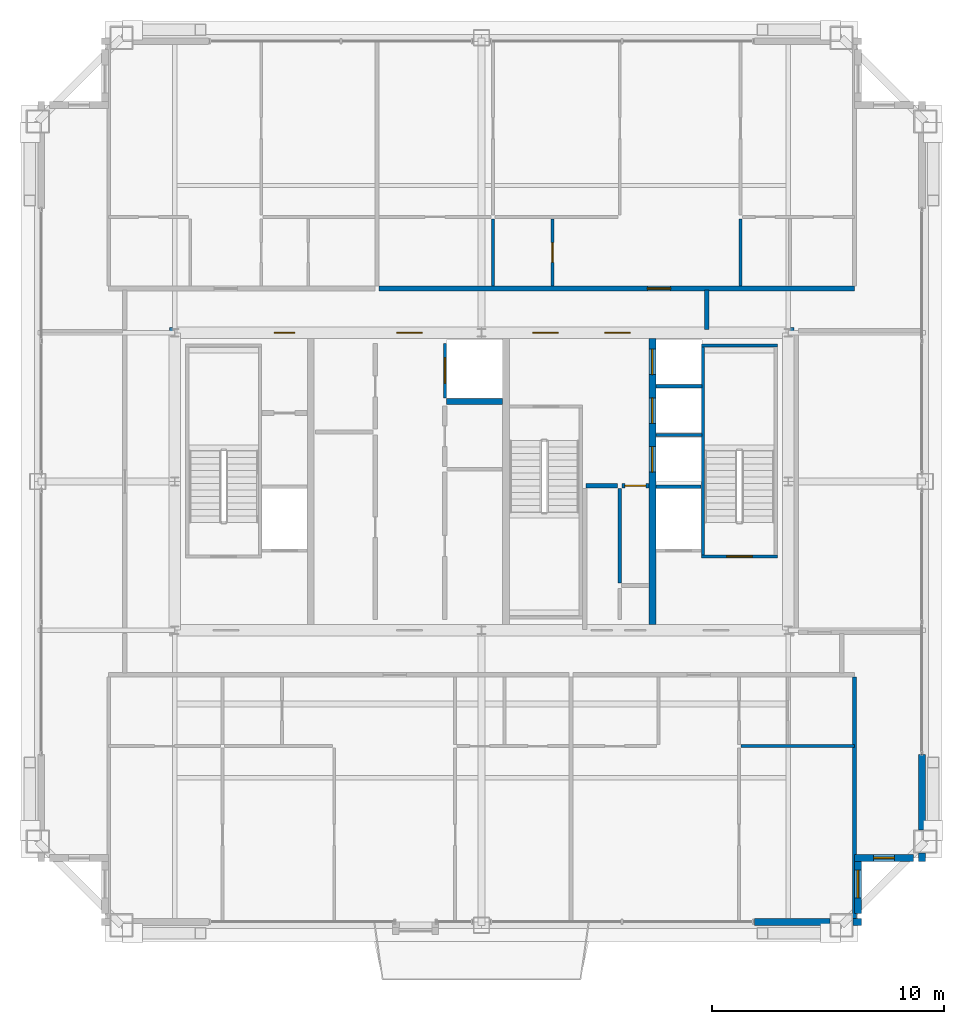
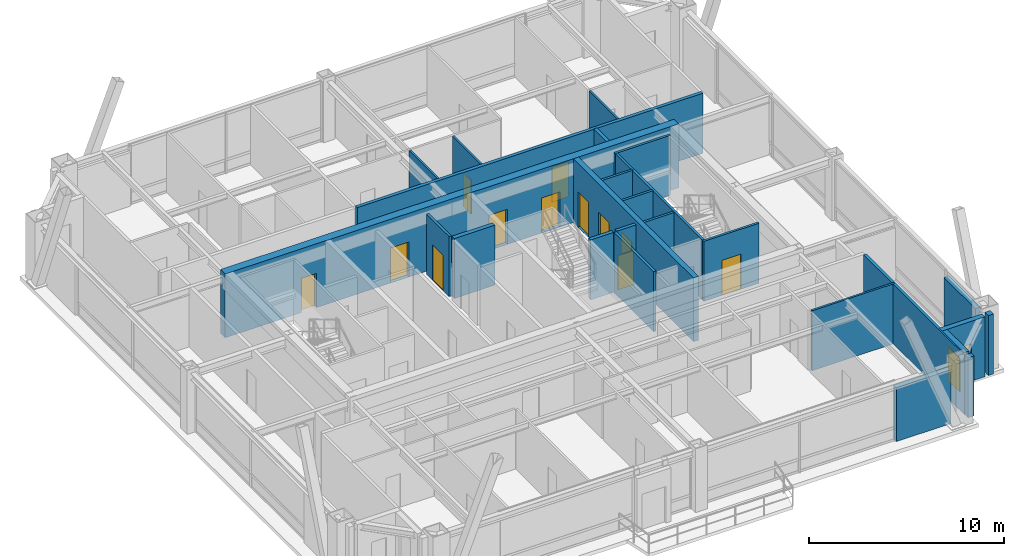
# One storey, part 32 of 35: 26 walls, 12 doors, 2 windows, 14 openings.
"""IFC4 building model written with IfcOpenShell, lengths in metres."""

from ifc_helpers import new_model, si_unit, direction, frame, frame_2d, origin, place, context, subcontext, project, spatial, rectangle, extrude, source, transform, mapped, material, layer, layer_set, type_object, element, fill, save


model = new_model("IFC4")

# Units and contexts
model_context = context("Model", 3, precision=1e-05, world=origin(), true_north=direction((0.0, 1.0)))
body_context = subcontext(model_context, "Body", "Model", "MODEL_VIEW")
ifc_project = project(units=[si_unit("LENGTHUNIT", "METRE"), si_unit("AREAUNIT", "SQUARE_METRE"), si_unit("VOLUMEUNIT", "CUBIC_METRE"), si_unit("PLANEANGLEUNIT", "RADIAN"), si_unit("MASSUNIT", "GRAM", prefix="KILO"), si_unit("THERMODYNAMICTEMPERATUREUNIT", "KELVIN"), si_unit("POWERUNIT", "WATT")], contexts=[model_context])

# Site, building, storey
site_placement = place(None, origin())
site = spatial("IfcSite", under=ifc_project, at=site_placement, CompositionType="ELEMENT")
building_placement = place(site_placement, origin())
building = spatial("IfcBuilding", under=site, at=building_placement, Name="Yuzanri Waterfront Tower", CompositionType="ELEMENT")
storey_placement = place(building_placement, frame((0.0, 0.0, 343.199951171875)))
storey = spatial("IfcBuildingStorey", under=building, at=storey_placement, Name="L92", CompositionType="ELEMENT", Elevation=343.199951171875)

# Wall, opening, door
ifc_material_1 = material(Name="Moisture-Resistant Gypsum Stud Wall", Category="gypsum")
ifc_layer_1 = layer(ifc_material_1, 0.1201171875)
ifc_layer_set_1 = layer_set([ifc_layer_1], Name="Moisture-Resistant Gypsum Stud Wall")
wall_type_1 = type_object("IfcWallType", Name="Bathroom and Kitchen Wet Partition 120", PredefinedType="PARTITIONING", material=ifc_layer_set_1)
wall_1_placement = place(storey_placement, frame((40.052978515625, 34.2099609375, 0.0), z_axis=(0.0, 0.0, 1.0), x_axis=(0.0, 1.0, 0.0)))
wall_1 = element("IfcWall", 1, at=wall_1_placement, inside=storey, type_object=wall_type_1, Name="L92 Partition UW-L92-HN2-SUB-2-E", PredefinedType="PARTITIONING", context=body_context, shape_type="SweptSolid", body=[
    extrude(rectangle(XDim=2.900146484375, YDim=0.1201171875, at=frame_2d((1.4501953125, 0.0))), origin(), (0.0, 0.0, 1.0), 3.760009765625),
])
opening_1_placement = place(wall_1_placement, frame((1.02490234375, 0.0, 0.0)))
opening_1 = element("IfcOpeningElement", 2, at=opening_1_placement, cuts=wall_1, Name="Opening ID-0850", PredefinedType="OPENING", context=body_context, shape_type="SweptSolid", body=[
    extrude(rectangle(XDim=0.85009765625, YDim=2.10009765625, at=frame_2d((0.425048828125, 1.050048828125))), frame((0.0, 0.074951171875, 0.0), z_axis=(0.0, -1.0, 0.0), x_axis=(1.0, 0.0, 0.0)), (0.0, 0.0, 1.0), 0.14990234375),
])
ifc_material_2 = material(Name="Moisture-Resistant Lacquered Timber", Category="wood")
door_type_1 = type_object("IfcDoorType", Name="En-Suite Bathroom and Kitchen Swing Door 850x2100", OperationType="NOTDEFINED", PredefinedType="DOOR", material=ifc_material_2)
shared_shape_1 = source(origin(), body_context, "Body", "SweptSolid", [
    extrude(rectangle(XDim=0.85009765625, YDim=2.10009765625, at=frame_2d((0.425048828125, 1.050048828125))), frame((0.0, 0.02490234375, 0.0), z_axis=(0.0, -1.0, 0.0), x_axis=(1.0, 0.0, 0.0)), (0.0, 0.0, 1.0), 0.050048828125),
])
door_1_placement = place(opening_1_placement, origin())
door_1 = element("IfcDoor", 3, at=door_1_placement, inside=storey, type_object=door_type_1, Name="L92 Suite Interior Room Door", OperationType="SINGLE_SWING_RIGHT", OverallHeight=2.10009765625, OverallWidth=0.85009765625, PredefinedType="DOOR", context=body_context, shape_type="MappedRepresentation", body=[
    mapped(shared_shape_1, transform((0.0, 0.0, 0.0), scale=1.0)),
])
fill(opening_1, door_1)

# Wall, opening, window
ifc_material_3 = material(Name="Honed Chongqing Dark Basalt Stone", Category="masonry")
ifc_layer_2 = layer(ifc_material_3, 0.300048828125)
ifc_layer_set_2 = layer_set([ifc_layer_2], Name="Honed Chongqing Dark Basalt Stone")
wall_type_2 = type_object("IfcWallType", Name="Bronze Rainscreen Insulated Spandrel Portal Wall 300", PredefinedType="SOLIDWALL", material=ifc_layer_set_2)
wall_2_placement = place(storey_placement, frame((53.050048828125, 9.60009765625, 0.0), z_axis=(0.0, 0.0, 1.0), x_axis=(1.0, 0.0, 0.0)))
wall_2 = element("IfcWall", 4, at=wall_2_placement, inside=storey, type_object=wall_type_2, Name="L92 Notched Corner Masonry Wall SE-X", PredefinedType="SOLIDWALL", context=body_context, shape_type="SweptSolid", body=[
    extrude(rectangle(XDim=2.550048828125, YDim=0.300048828125, at=frame_2d((1.27490234375, 0.0))), origin(), (0.0, 0.0, 1.0), 3.760009765625),
])
opening_2_placement = place(wall_2_placement, frame((0.824951171875, 0.0, 0.85009765625)))
opening_2 = element("IfcOpeningElement", 5, at=opening_2_placement, cuts=wall_2, Name="Opening WN-05", PredefinedType="OPENING", context=body_context, shape_type="SweptSolid", body=[
    extrude(rectangle(XDim=0.89990234375, YDim=1.5, at=frame_2d((0.449951171875, 0.75))), frame((0.0, 0.1650390625, 0.0), z_axis=(0.0, -1.0, 0.0), x_axis=(1.0, 0.0, 0.0)), (0.0, 0.0, 1.0), 0.329833984375),
])
ifc_material_4 = material(Name="Double-Silver Low-E Insulated Glass", Category="glass")
window_type_1 = type_object("IfcWindowType", Name="Anodized Bronze Service and Stairwell Smoke-Vent Window 900x1500", PartitioningType="SINGLE_PANEL", PredefinedType="WINDOW", material=ifc_material_4)
shared_shape_2 = source(origin(), body_context, "Body", "SweptSolid", [
    extrude(rectangle(XDim=0.89990234375, YDim=1.5, at=frame_2d((0.449951171875, 0.75))), frame((0.0, 0.030029296875, 0.0), z_axis=(0.0, -1.0, 0.0), x_axis=(1.0, 0.0, 0.0)), (0.0, 0.0, 1.0), 0.06005859375),
])
window_1_placement = place(opening_2_placement, origin())
window_1 = element("IfcWindow", 6, at=window_1_placement, inside=storey, type_object=window_type_1, Name="L92 Notched Corner Window SE-X", OverallHeight=1.5, OverallWidth=0.89990234375, PartitioningType="SINGLE_PANEL", PredefinedType="WINDOW", context=body_context, shape_type="MappedRepresentation", body=[
    mapped(shared_shape_2, transform((0.0, 0.0, 0.0), scale=1.0)),
])
fill(opening_2, window_1)

wall_3_placement = place(storey_placement, frame((53.199951171875, 7.199951171875, 0.0), z_axis=(0.0, 0.0, 1.0), x_axis=(0.0, 1.0, 0.0)))
wall_3 = element("IfcWall", 7, at=wall_3_placement, inside=storey, type_object=wall_type_2, Name="L92 Notched Corner Masonry Wall SE-Y", PredefinedType="SOLIDWALL", context=body_context, shape_type="SweptSolid", body=[
    extrude(rectangle(XDim=2.550048828125, YDim=0.300048828125, at=frame_2d((1.27490234375, 0.0))), origin(), (0.0, 0.0, 1.0), 3.760009765625),
])
opening_3_placement = place(wall_3_placement, frame((0.675048828125, 0.0, 0.85009765625)))
opening_3 = element("IfcOpeningElement", 8, at=opening_3_placement, cuts=wall_3, Name="Opening WN-02", PredefinedType="OPENING", context=body_context, shape_type="SweptSolid", body=[
    extrude(rectangle(XDim=1.199951171875, YDim=2.10009765625, at=frame_2d((0.60009765625, 1.050048828125))), frame((0.0, 0.1650390625, 0.0), z_axis=(0.0, -1.0, 0.0), x_axis=(1.0, 0.0, 0.0)), (0.0, 0.0, 1.0), 0.329833984375),
])
ifc_material_5 = material(Name="Double-Silver Low-E Insulated Glass", Category="glass")
window_type_2 = type_object("IfcWindowType", Name="Anodized Bronze Notched Corner Deep-Set Slot Window 1200x2100", PartitioningType="SINGLE_PANEL", PredefinedType="WINDOW", material=ifc_material_5)
shared_shape_3 = source(origin(), body_context, "Body", "SweptSolid", [
    extrude(rectangle(XDim=1.199951171875, YDim=2.10009765625, at=frame_2d((0.60009765625, 1.050048828125))), frame((0.0, 0.030029296875, 0.0), z_axis=(0.0, -1.0, 0.0), x_axis=(1.0, 0.0, 0.0)), (0.0, 0.0, 1.0), 0.06005859375),
])
window_2_placement = place(opening_3_placement, origin())
window_2 = element("IfcWindow", 9, at=window_2_placement, inside=storey, type_object=window_type_2, Name="L92 Notched Corner Window SE-Y", OverallHeight=2.10009765625, OverallWidth=1.199951171875, PartitioningType="SINGLE_PANEL", PredefinedType="WINDOW", context=body_context, shape_type="MappedRepresentation", body=[
    mapped(shared_shape_3, transform((0.0, 0.0, 0.0), scale=1.0)),
])
fill(opening_3, window_2)

# Wall, openings, doors
ifc_material_6 = material(Name="Concrete C45", Category="concrete")
ifc_layer_3 = layer(ifc_material_6, 0.47998046875)
ifc_layer_set_3 = layer_set([ifc_layer_3], Name="Concrete C45")
wall_type_3 = type_object("IfcWallType", Name="Concrete C45 High-Rise Core Shear Wall 480", PredefinedType="SHEAR", material=ifc_layer_set_3)
wall_4_placement = place(storey_placement, frame((23.56005859375, 32.199951171875, 0.0), z_axis=(0.0, 0.0, 1.0), x_axis=(1.0, 0.0, 0.0)))
wall_4 = element("IfcWall", 10, at=wall_4_placement, inside=storey, type_object=wall_type_3, Name="L92 Core North Shear Wall", PredefinedType="SHEAR", context=body_context, shape_type="SweptSolid", body=[
    extrude(rectangle(XDim=26.8798828125, YDim=0.47998046875, at=frame_2d((13.43994140625, 0.0))), origin(), (0.0, 0.0, 1.0), 4.0),
])
opening_4_placement = place(wall_4_placement, frame((4.510009765625, 0.0, 0.0)))
opening_4 = element("IfcOpeningElement", 11, at=opening_4_placement, cuts=wall_4, Name="Opening FD-0900", PredefinedType="OPENING", context=body_context, shape_type="SweptSolid", body=[
    extrude(rectangle(XDim=0.89990234375, YDim=2.14990234375, at=frame_2d((0.449951171875, 1.074951171875))), frame((0.0, 0.2548828125, 0.0), z_axis=(0.0, -1.0, 0.0), x_axis=(1.0, 0.0, 0.0)), (0.0, 0.0, 1.0), 0.509765625),
])
opening_5_placement = place(wall_4_placement, frame((9.7900390625, 0.0, 0.0)))
opening_5 = element("IfcOpeningElement", 12, at=opening_5_placement, cuts=wall_4, Name="Opening FD-1100", PredefinedType="OPENING", context=body_context, shape_type="SweptSolid", body=[
    extrude(rectangle(XDim=1.10009765625, YDim=2.199951171875, at=frame_2d((0.550048828125, 1.10009765625))), frame((0.0, 0.2548828125, 0.0), z_axis=(0.0, -1.0, 0.0), x_axis=(1.0, 0.0, 0.0)), (0.0, 0.0, 1.0), 0.509765625),
])
opening_6_placement = place(wall_4_placement, frame((15.639892578125, 0.0, 0.0)))
opening_6 = element("IfcOpeningElement", 13, at=opening_6_placement, cuts=wall_4, Name="Opening FD-1100", PredefinedType="OPENING", context=body_context, shape_type="SweptSolid", body=[
    extrude(rectangle(XDim=1.10009765625, YDim=2.199951171875, at=frame_2d((0.550048828125, 1.10009765625))), frame((0.0, 0.2548828125, 0.0), z_axis=(0.0, -1.0, 0.0), x_axis=(1.0, 0.0, 0.0)), (0.0, 0.0, 1.0), 0.509765625),
])
opening_7_placement = place(wall_4_placement, frame((18.739990234375, 0.0, 0.0)))
opening_7 = element("IfcOpeningElement", 14, at=opening_7_placement, cuts=wall_4, Name="Opening FD-1100", PredefinedType="OPENING", context=body_context, shape_type="SweptSolid", body=[
    extrude(rectangle(XDim=1.10009765625, YDim=2.199951171875, at=frame_2d((0.550048828125, 1.10009765625))), frame((0.0, 0.2548828125, 0.0), z_axis=(0.0, -1.0, 0.0), x_axis=(1.0, 0.0, 0.0)), (0.0, 0.0, 1.0), 0.509765625),
])
ifc_material_7 = material(Name="Painted Galvanized Fire Steel", Category="steel")
door_type_2 = type_object("IfcDoorType", Name="Smoke-Proof Stair and Lobby Fire Door 1100x2200", OperationType="NOTDEFINED", PredefinedType="DOOR", material=ifc_material_7)
shared_shape_4 = source(origin(), body_context, "Body", "SweptSolid", [
    extrude(rectangle(XDim=1.10009765625, YDim=2.199951171875, at=frame_2d((0.550048828125, 1.10009765625))), frame((0.0, 0.02490234375, 0.0), z_axis=(0.0, -1.0, 0.0), x_axis=(1.0, 0.0, 0.0)), (0.0, 0.0, 1.0), 0.050048828125),
])
door_2_placement = place(opening_5_placement, origin())
door_2 = element("IfcDoor", 15, at=door_2_placement, inside=storey, type_object=door_type_2, Name="L92 Central Lift Lobby North Door", OperationType="SINGLE_SWING_LEFT", OverallHeight=2.199951171875, OverallWidth=1.10009765625, PredefinedType="DOOR", context=body_context, shape_type="MappedRepresentation", body=[
    mapped(shared_shape_4, transform((0.0, 0.0, 0.0), scale=1.0)),
])
fill(opening_5, door_2)
door_3_placement = place(opening_6_placement, origin())
door_3 = element("IfcDoor", 16, at=door_3_placement, inside=storey, type_object=door_type_2, Name="L92 North Stair Lobby Door", OperationType="SINGLE_SWING_RIGHT", OverallHeight=2.199951171875, OverallWidth=1.10009765625, PredefinedType="DOOR", context=body_context, shape_type="MappedRepresentation", body=[
    mapped(shared_shape_4, transform((0.0, 0.0, 0.0), scale=1.0)),
])
fill(opening_6, door_3)
door_4_placement = place(opening_7_placement, origin())
door_4 = element("IfcDoor", 17, at=door_4_placement, inside=storey, type_object=door_type_2, Name="L92 High-Rise Lift Lobby North Door", OperationType="SINGLE_SWING_LEFT", OverallHeight=2.199951171875, OverallWidth=1.10009765625, PredefinedType="DOOR", context=body_context, shape_type="MappedRepresentation", body=[
    mapped(shared_shape_4, transform((0.0, 0.0, 0.0), scale=1.0)),
])
fill(opening_7, door_4)
ifc_material_8 = material(Name="Painted Galvanized Fire Steel", Category="steel")
door_type_3 = type_object("IfcDoorType", Name="Riser and Service Room Fire Door 900x2150", OperationType="NOTDEFINED", PredefinedType="DOOR", material=ifc_material_8)
shared_shape_5 = source(origin(), body_context, "Body", "SweptSolid", [
    extrude(rectangle(XDim=0.89990234375, YDim=2.14990234375, at=frame_2d((0.449951171875, 1.074951171875))), frame((0.0, 0.02490234375, 0.0), z_axis=(0.0, -1.0, 0.0), x_axis=(1.0, 0.0, 0.0)), (0.0, 0.0, 1.0), 0.050048828125),
])
door_5_placement = place(opening_4_placement, origin())
door_5 = element("IfcDoor", 18, at=door_5_placement, inside=storey, type_object=door_type_3, Name="L92 Telecom Riser Door", OperationType="SINGLE_SWING_RIGHT", OverallHeight=2.14990234375, OverallWidth=0.89990234375, PredefinedType="DOOR", context=body_context, shape_type="MappedRepresentation", body=[
    mapped(shared_shape_5, transform((0.0, 0.0, 0.0), scale=1.0)),
])
fill(opening_4, door_5)

ifc_material_9 = material(Name="Concrete C50", Category="concrete")
ifc_layer_4 = layer(ifc_material_9, 0.300048828125)
ifc_layer_set_4 = layer_set([ifc_layer_4], Name="Concrete C50")
wall_type_4 = type_object("IfcWallType", Name="Concrete C50 Internal Core Shaft Structural Wall 300", PredefinedType="SOLIDWALL", material=ifc_layer_set_4)
wall_5_placement = place(storey_placement, frame((44.35009765625, 19.639892578125, 0.0), z_axis=(0.0, 0.0, 1.0), x_axis=(0.0, 1.0, 0.0)))
wall_5 = element("IfcWall", 19, at=wall_5_placement, inside=storey, type_object=wall_type_4, Name="L92 Core Internal Structural Web Wall 3", PredefinedType="SOLIDWALL", context=body_context, shape_type="SweptSolid", body=[
    extrude(rectangle(XDim=12.320068359375, YDim=0.300048828125, at=frame_2d((6.16015625, 0.0))), origin(), (0.0, 0.0, 1.0), 4.0),
])
opening_8_placement = place(wall_5_placement, frame((6.56005859375, 0.0, 0.0)))
opening_8 = element("IfcOpeningElement", 20, at=opening_8_placement, cuts=wall_5, Name="Opening LD-PL-09", PredefinedType="OPENING", context=body_context, shape_type="SweptSolid", body=[
    extrude(rectangle(XDim=1.10009765625, YDim=2.199951171875, at=frame_2d((0.550048828125, 1.10009765625))), frame((0.0, 0.1650390625, 0.0), z_axis=(0.0, -1.0, 0.0), x_axis=(1.0, 0.0, 0.0)), (0.0, 0.0, 1.0), 0.329833984375),
])
opening_9_placement = place(wall_5_placement, frame((8.659912109375, 0.0, 0.0)))
opening_9 = element("IfcOpeningElement", 21, at=opening_9_placement, cuts=wall_5, Name="Opening LD-PL-10", PredefinedType="OPENING", context=body_context, shape_type="SweptSolid", body=[
    extrude(rectangle(XDim=1.10009765625, YDim=2.199951171875, at=frame_2d((0.550048828125, 1.10009765625))), frame((0.0, 0.1650390625, 0.0), z_axis=(0.0, -1.0, 0.0), x_axis=(1.0, 0.0, 0.0)), (0.0, 0.0, 1.0), 0.329833984375),
])
opening_10_placement = place(wall_5_placement, frame((10.760009765625, 0.0, 0.0)))
opening_10 = element("IfcOpeningElement", 22, at=opening_10_placement, cuts=wall_5, Name="Opening LD-PL-11", PredefinedType="OPENING", context=body_context, shape_type="SweptSolid", body=[
    extrude(rectangle(XDim=1.10009765625, YDim=2.199951171875, at=frame_2d((0.550048828125, 1.10009765625))), frame((0.0, 0.1650390625, 0.0), z_axis=(0.0, -1.0, 0.0), x_axis=(1.0, 0.0, 0.0)), (0.0, 0.0, 1.0), 0.329833984375),
])
ifc_material_10 = material(Name="Brushed Bronze and Stainless Steel Cab", Category="steel")
door_type_4 = type_object("IfcDoorType", Name="Center-Parting Bronze Lift Landing Sliding Door 1100x2200", OperationType="NOTDEFINED", PredefinedType="DOOR", material=ifc_material_10)
shared_shape_6 = source(origin(), body_context, "Body", "SweptSolid", [
    extrude(rectangle(XDim=1.10009765625, YDim=2.199951171875, at=frame_2d((0.550048828125, 1.10009765625))), frame((0.0, 0.02490234375, 0.0), z_axis=(0.0, -1.0, 0.0), x_axis=(1.0, 0.0, 0.0)), (0.0, 0.0, 1.0), 0.050048828125),
])
door_6_placement = place(opening_8_placement, origin())
door_6 = element("IfcDoor", 23, at=door_6_placement, inside=storey, type_object=door_type_4, Name="L92 PL-09 Lift Landing Sliding Door", OperationType="SLIDING_TO_LEFT", OverallHeight=2.199951171875, OverallWidth=1.10009765625, PredefinedType="DOOR", context=body_context, shape_type="MappedRepresentation", body=[
    mapped(shared_shape_6, transform((0.0, 0.0, 0.0), scale=1.0)),
])
fill(opening_8, door_6)
door_7_placement = place(opening_9_placement, origin())
door_7 = element("IfcDoor", 24, at=door_7_placement, inside=storey, type_object=door_type_4, Name="L92 PL-10 Lift Landing Sliding Door", OperationType="SLIDING_TO_RIGHT", OverallHeight=2.199951171875, OverallWidth=1.10009765625, PredefinedType="DOOR", context=body_context, shape_type="MappedRepresentation", body=[
    mapped(shared_shape_6, transform((0.0, 0.0, 0.0), scale=1.0)),
])
fill(opening_9, door_7)
door_8_placement = place(opening_10_placement, origin())
door_8 = element("IfcDoor", 25, at=door_8_placement, inside=storey, type_object=door_type_4, Name="L92 PL-11 Lift Landing Sliding Door", OperationType="SLIDING_TO_LEFT", OverallHeight=2.199951171875, OverallWidth=1.10009765625, PredefinedType="DOOR", context=body_context, shape_type="MappedRepresentation", body=[
    mapped(shared_shape_6, transform((0.0, 0.0, 0.0), scale=1.0)),
])
fill(opening_10, door_8)

# Wall, opening, door
ifc_material_11 = material(Name="Concrete C40", Category="concrete")
ifc_layer_5 = layer(ifc_material_11, 0.139892578125)
ifc_layer_set_5 = layer_set([ifc_layer_5], Name="Concrete C40")
wall_type_5 = type_object("IfcWallType", Name="Core Stair Liner and Hoistway Shaft Wall 140", PredefinedType="SOLIDWALL", material=ifc_layer_set_5)
wall_6_placement = place(storey_placement, frame((35.429931640625, 29.39990234375, 0.0), z_axis=(0.0, 0.0, 1.0), x_axis=(0.0, 1.0, 0.0)))
wall_6 = element("IfcWall", 26, at=wall_6_placement, inside=storey, type_object=wall_type_5, Name="L92 Lift SL-02 Front Shaft Wall", PredefinedType="SOLIDWALL", context=body_context, shape_type="SweptSolid", body=[
    extrude(rectangle(XDim=2.340087890625, YDim=0.139892578125, at=frame_2d((1.169921875, 0.0))), origin(), (0.0, 0.0, 1.0), 3.760009765625),
])
opening_11_placement = place(wall_6_placement, frame((0.6201171875, 0.0, 0.0)))
opening_11 = element("IfcOpeningElement", 27, at=opening_11_placement, cuts=wall_6, Name="Opening LD-SL-02", PredefinedType="OPENING", context=body_context, shape_type="SweptSolid", body=[
    extrude(rectangle(XDim=1.10009765625, YDim=2.199951171875, at=frame_2d((0.550048828125, 1.10009765625))), frame((0.0, 0.0849609375, 0.0), z_axis=(0.0, -1.0, 0.0), x_axis=(1.0, 0.0, 0.0)), (0.0, 0.0, 1.0), 0.169677734375),
])
door_9_placement = place(opening_11_placement, origin())
door_9 = element("IfcDoor", 28, at=door_9_placement, inside=storey, type_object=door_type_4, Name="L92 SL-02 Lift Landing Sliding Door", OperationType="SLIDING_TO_RIGHT", OverallHeight=2.199951171875, OverallWidth=1.10009765625, PredefinedType="DOOR", context=body_context, shape_type="MappedRepresentation", body=[
    mapped(shared_shape_6, transform((0.0, 0.0, 0.0), scale=1.0)),
])
fill(opening_11, door_9)

wall_7_placement = place(storey_placement, frame((46.4599609375, 22.570068359375, 0.0), z_axis=(0.0, 0.0, 1.0), x_axis=(1.0, 0.0, 0.0)))
wall_7 = element("IfcWall", 29, at=wall_7_placement, inside=storey, type_object=wall_type_5, Name="L92 Shaft Wall STW-L92-ST-02-S", PredefinedType="SOLIDWALL", context=body_context, shape_type="SweptSolid", body=[
    extrude(rectangle(XDim=3.280029296875, YDim=0.139892578125, at=frame_2d((1.64013671875, 0.0))), origin(), (0.0, 0.0, 1.0), 3.760009765625),
])
opening_12_placement = place(wall_7_placement, frame((1.090087890625, 0.0, 0.0)))
opening_12 = element("IfcOpeningElement", 30, at=opening_12_placement, cuts=wall_7, Name="Opening FD-1100", PredefinedType="OPENING", context=body_context, shape_type="SweptSolid", body=[
    extrude(rectangle(XDim=1.10009765625, YDim=2.199951171875, at=frame_2d((0.550048828125, 1.10009765625))), frame((0.0, 0.0849609375, 0.0), z_axis=(0.0, -1.0, 0.0), x_axis=(1.0, 0.0, 0.0)), (0.0, 0.0, 1.0), 0.169677734375),
])
door_10_placement = place(opening_12_placement, origin())
door_10 = element("IfcDoor", 31, at=door_10_placement, inside=storey, type_object=door_type_2, Name="L92 Stair ST-02 Fire Door", OperationType="SINGLE_SWING_LEFT", OverallHeight=2.199951171875, OverallWidth=1.10009765625, PredefinedType="DOOR", context=body_context, shape_type="MappedRepresentation", body=[
    mapped(shared_shape_4, transform((0.0, 0.0, 0.0), scale=1.0)),
])
fill(opening_12, door_10)

ifc_material_12 = material(Name="Autoclaved Aerated Concrete Blockwork", Category="masonry")
ifc_layer_6 = layer(ifc_material_12, 0.199951171875)
ifc_layer_set_6 = layer_set([ifc_layer_6], Name="Autoclaved Aerated Concrete Blockwork")
wall_type_6 = type_object("IfcWallType", Name="Corridor and Unit Party Fire Wall 200", PredefinedType="PARTITIONING", material=ifc_layer_set_6)
wall_8_placement = place(storey_placement, frame((43.050048828125, 25.6201171875, 0.0), z_axis=(0.0, 0.0, 1.0), x_axis=(1.0, 0.0, 0.0)))
wall_8 = element("IfcWall", 32, at=wall_8_placement, inside=storey, type_object=wall_type_6, Name="L92 Partition CRW-L92-BOHH-2", PredefinedType="PARTITIONING", context=body_context, shape_type="SweptSolid", body=[
    extrude(rectangle(XDim=1.14990234375, YDim=0.199951171875, at=frame_2d((0.574951171875, 0.0))), origin(), (0.0, 0.0, 1.0), 3.760009765625),
])
opening_13_placement = place(wall_8_placement, frame((0.1201171875, 0.0, 0.0)))
opening_13 = element("IfcOpeningElement", 33, at=opening_13_placement, cuts=wall_8, Name="Opening FD-0900", PredefinedType="OPENING", context=body_context, shape_type="SweptSolid", body=[
    extrude(rectangle(XDim=0.89990234375, YDim=2.14990234375, at=frame_2d((0.449951171875, 1.074951171875))), frame((0.0, 0.11474609375, 0.0), z_axis=(0.0, -1.0, 0.0), x_axis=(1.0, 0.0, 0.0)), (0.0, 0.0, 1.0), 0.229736328125),
])
door_11_placement = place(opening_13_placement, origin())
door_11 = element("IfcDoor", 34, at=door_11_placement, inside=storey, type_object=door_type_3, Name="L92 Linen Store Room", OperationType="SINGLE_SWING_LEFT", OverallHeight=2.14990234375, OverallWidth=0.89990234375, PredefinedType="DOOR", context=body_context, shape_type="MappedRepresentation", body=[
    mapped(shared_shape_5, transform((0.0, 0.0, 0.0), scale=1.0)),
])
fill(opening_13, door_11)

wall_9_placement = place(storey_placement, frame((32.5830078125, 34.110107421875, 0.0), z_axis=(0.0, 0.0, 1.0), x_axis=(1.0, 0.0, 0.0)))
wall_9 = element("IfcWall", 35, at=wall_9_placement, inside=storey, type_object=wall_type_6, Name="L92 Partition UW-L92-HN2-CS", PredefinedType="PARTITIONING", context=body_context, shape_type="SweptSolid", body=[
    extrude(rectangle(XDim=20.47705078125, YDim=0.199951171875, at=frame_2d((10.238525390625, 0.0))), origin(), (0.0, 0.0, 1.0), 3.760009765625),
])
opening_14_placement = place(wall_9_placement, frame((11.556884765625, 0.0, 0.0)))
opening_14 = element("IfcOpeningElement", 36, at=opening_14_placement, cuts=wall_9, Name="Opening FD-1000", PredefinedType="OPENING", context=body_context, shape_type="SweptSolid", body=[
    extrude(rectangle(XDim=1.0, YDim=2.199951171875, at=frame_2d((0.5, 1.10009765625))), frame((0.0, 0.11474609375, 0.0), z_axis=(0.0, -1.0, 0.0), x_axis=(1.0, 0.0, 0.0)), (0.0, 0.0, 1.0), 0.229736328125),
])
ifc_material_13 = material(Name="Engineered Oak Fire-Rated Timber", Category="wood")
door_type_5 = type_object("IfcDoorType", Name="Guestroom and Apartment Entrance Fire Door 1000x2200", OperationType="NOTDEFINED", PredefinedType="DOOR", material=ifc_material_13)
shared_shape_7 = source(origin(), body_context, "Body", "SweptSolid", [
    extrude(rectangle(XDim=1.0, YDim=2.199951171875, at=frame_2d((0.5, 1.10009765625))), frame((0.0, 0.02490234375, 0.0), z_axis=(0.0, -1.0, 0.0), x_axis=(1.0, 0.0, 0.0)), (0.0, 0.0, 1.0), 0.050048828125),
])
door_12_placement = place(opening_14_placement, origin())
door_12 = element("IfcDoor", 37, at=door_12_placement, inside=storey, type_object=door_type_5, Name="L92 Penthouse Grand Living Salon Entrance Door", OperationType="SINGLE_SWING_RIGHT", OverallHeight=2.199951171875, OverallWidth=1.0, PredefinedType="DOOR", context=body_context, shape_type="MappedRepresentation", body=[
    mapped(shared_shape_7, transform((0.0, 0.0, 0.0), scale=1.0)),
])
fill(opening_14, door_12)

# Walls
shared_shape_8 = source(origin(), body_context, "Body", "SweptSolid", [
    extrude(rectangle(XDim=0.35009765625, YDim=0.300048828125, at=frame_2d((0.175048828125, 0.0))), origin(), (0.0, 0.0, 1.0), 3.760009765625),
])
for number, where, z_axis, x_axis, name in (
    (38, (53.0, 6.85009765625, 0.0), (0.0, 0.0, 1.0), (1.0, 0.0, 0.0), "L92 Corner Column Shoulder Return CSE"),
    (39, (55.949951171875, 9.449951171875, 0.0), (0.0, 0.0, 1.0), (0.0, 1.0, 0.0), "L92 Corner Column Shoulder Return CES"),
):
    element("IfcWall", number, at=place(storey_placement, frame(where, z_axis=z_axis, x_axis=x_axis)), inside=storey, type_object=wall_type_2, Name=name, PredefinedType="SOLIDWALL", context=body_context, shape_type="MappedRepresentation", body=[
        mapped(shared_shape_8, transform((0.0, 0.0, 0.0), scale=1.0)),
    ])
shared_shape_9 = source(origin(), body_context, "Body", "SweptSolid", [
    extrude(rectangle(XDim=3.25, YDim=0.300048828125, at=frame_2d((1.625, 0.0))), origin(), (0.0, 0.0, 1.0), 3.364990234375),
])
for number, where, z_axis, x_axis, name in (
    (40, (48.75, 6.85009765625, 0.0), (0.0, 0.0, 1.0), (1.0, 0.0, 0.0), "L92 S Right Braced Masonry Shoulder"),
    (41, (55.949951171875, 10.800048828125, 0.0), (0.0, 0.0, 1.0), (0.0, 1.0, 0.0), "L92 E Left Braced Masonry Shoulder"),
):
    element("IfcWall", number, at=place(storey_placement, frame(where, z_axis=z_axis, x_axis=x_axis)), inside=storey, type_object=wall_type_2, Name=name, PredefinedType="SOLIDWALL", context=body_context, shape_type="MappedRepresentation", body=[
        mapped(shared_shape_9, transform((0.0, 0.0, 0.0), scale=1.0)),
    ])
shared_shape_10 = source(origin(), body_context, "Body", "SweptSolid", [
    extrude(rectangle(XDim=1.919921875, YDim=0.139892578125, at=frame_2d((0.9599609375, 0.0))), origin(), (0.0, 0.0, 1.0), 3.760009765625),
])
wall_10_placement = place(storey_placement, frame((44.52001953125, 25.570068359375, 0.0), z_axis=(0.0, 0.0, 1.0), x_axis=(1.0, 0.0, 0.0)))
element("IfcWall", 42, at=wall_10_placement, inside=storey, type_object=wall_type_5, Name="L92 Lift FL-02 Back Shaft Wall", PredefinedType="SOLIDWALL", context=body_context, shape_type="MappedRepresentation", body=[
    mapped(shared_shape_10, transform((0.0, 0.0, 0.0), scale=1.0)),
])
ifc_material_14 = material(Name="Concrete C40", Category="concrete")
ifc_layer_7 = layer(ifc_material_14, 0.25)
ifc_layer_set_7 = layer_set([ifc_layer_7], Name="Concrete C40")
wall_type_7 = type_object("IfcWallType", Name="Smoke-Proof Stair and Lift Shaft Wall 250", PredefinedType="SOLIDWALL", material=ifc_layer_set_7)
shared_shape_11 = source(origin(), body_context, "Body", "SweptSolid", [
    extrude(rectangle(XDim=2.39990234375, YDim=0.25, at=frame_2d((1.199951171875, 0.0))), origin(), (0.0, 0.0, 1.0), 3.760009765625),
])
wall_11_placement = place(storey_placement, frame((35.5, 29.25, 0.0), z_axis=(0.0, 0.0, 1.0), x_axis=(1.0, 0.0, 0.0)))
element("IfcWall", 43, at=wall_11_placement, inside=storey, type_object=wall_type_7, Name="L92 Lift SL-02 South Shaft Wall", PredefinedType="SOLIDWALL", context=body_context, shape_type="MappedRepresentation", body=[
    mapped(shared_shape_11, transform((0.0, 0.0, 0.0), scale=1.0)),
])
shared_shape_12 = source(origin(), body_context, "Body", "SweptSolid", [
    extrude(rectangle(XDim=2.0, YDim=0.139892578125, at=frame_2d((1.0, 0.0))), origin(), (0.0, 0.0, 1.0), 3.760009765625),
])
for number, where, z_axis, x_axis, name in (
    (44, (44.5, 27.800048828125, 0.0), (0.0, 0.0, 1.0), (1.0, 0.0, 0.0), "L92 Lift PL-09 Divider Wall"),
    (45, (44.5, 29.89990234375, 0.0), (0.0, 0.0, 1.0), (1.0, 0.0, 0.0), "L92 Lift PL-10 Divider Wall"),
):
    element("IfcWall", number, at=place(storey_placement, frame(where, z_axis=z_axis, x_axis=x_axis)), inside=storey, type_object=wall_type_5, Name=name, PredefinedType="SOLIDWALL", context=body_context, shape_type="MappedRepresentation", body=[
        mapped(shared_shape_12, transform((0.0, 0.0, 0.0), scale=1.0)),
    ])
shared_shape_13 = source(origin(), body_context, "Body", "SweptSolid", [
    extrude(rectangle(XDim=3.280029296875, YDim=0.139892578125, at=frame_2d((1.64013671875, 0.0))), origin(), (0.0, 0.0, 1.0), 3.760009765625),
])
wall_12_placement = place(storey_placement, frame((46.4599609375, 31.64990234375, 0.0), z_axis=(0.0, 0.0, 1.0), x_axis=(1.0, 0.0, 0.0)))
element("IfcWall", 46, at=wall_12_placement, inside=storey, type_object=wall_type_5, Name="L92 Stair ST-02 North Shaft Wall", PredefinedType="SOLIDWALL", context=body_context, shape_type="MappedRepresentation", body=[
    mapped(shared_shape_13, transform((0.0, 0.0, 0.0), scale=1.0)),
])
shared_shape_14 = source(origin(), body_context, "Body", "SweptSolid", [
    extrude(rectangle(XDim=8.940185546875, YDim=0.139892578125, at=frame_2d((4.47021484375, 0.0))), origin(), (0.0, 0.0, 1.0), 3.760009765625),
])
wall_13_placement = place(storey_placement, frame((46.530029296875, 22.639892578125, 0.0), z_axis=(0.0, 0.0, 1.0), x_axis=(0.0, 1.0, 0.0)))
element("IfcWall", 47, at=wall_13_placement, inside=storey, type_object=wall_type_5, Name="L92 Stair ST-02 West Shaft Wall", PredefinedType="SOLIDWALL", context=body_context, shape_type="MappedRepresentation", body=[
    mapped(shared_shape_14, transform((0.0, 0.0, 0.0), scale=1.0)),
])
shared_shape_15 = source(origin(), body_context, "Body", "SweptSolid", [
    extrude(rectangle(XDim=1.35009765625, YDim=0.199951171875, at=frame_2d((0.675048828125, 0.0))), origin(), (0.0, 0.0, 1.0), 3.760009765625),
])
wall_14_placement = place(storey_placement, frame((41.5, 25.6201171875, 0.0), z_axis=(0.0, 0.0, 1.0), x_axis=(1.0, 0.0, 0.0)))
element("IfcWall", 48, at=wall_14_placement, inside=storey, type_object=wall_type_6, Name="L92 Core BOH Split Wall 1", PredefinedType="PARTITIONING", context=body_context, shape_type="MappedRepresentation", body=[
    mapped(shared_shape_15, transform((0.0, 0.0, 0.0), scale=1.0)),
])
shared_shape_16 = source(origin(), body_context, "Body", "SweptSolid", [
    extrude(rectangle(XDim=1.699951171875, YDim=0.199951171875, at=frame_2d((0.85009765625, 0.0))), origin(), (0.0, 0.0, 1.0), 3.760009765625),
])
wall_15_placement = place(storey_placement, frame((46.699951171875, 32.35009765625, 0.0), z_axis=(0.0, 0.0, 1.0), x_axis=(0.0, 1.0, 0.0)))
element("IfcWall", 49, at=wall_15_placement, inside=storey, type_object=wall_type_6, Name="L92 North Foyer East End Wall", PredefinedType="PARTITIONING", context=body_context, shape_type="MappedRepresentation", body=[
    mapped(shared_shape_16, transform((0.0, 0.0, 0.0), scale=1.0)),
])
ifc_material_15 = material(Name="Gypsum Fireboard Acoustic Stud Wall", Category="gypsum")
ifc_layer_8 = layer(ifc_material_15, 0.159912109375)
ifc_layer_set_8 = layer_set([ifc_layer_8], Name="Gypsum Fireboard Acoustic Stud Wall")
wall_type_8 = type_object("IfcWallType", Name="Acoustic Suite Demising Partition 160", PredefinedType="PARTITIONING", material=ifc_layer_set_8)
shared_shape_17 = source(origin(), body_context, "Body", "SweptSolid", [
    extrude(rectangle(XDim=10.389892578125, YDim=0.159912109375, at=frame_2d((5.19482421875, 0.0))), origin(), (0.0, 0.0, 1.0), 3.760009765625),
])
wall_16_placement = place(storey_placement, frame((53.050048828125, 7.0, 0.0), z_axis=(0.0, 0.0, 1.0), x_axis=(0.0, 1.0, 0.0)))
element("IfcWall", 50, at=wall_16_placement, inside=storey, type_object=wall_type_8, Name="L92 South Band East End Wall", PredefinedType="PARTITIONING", context=body_context, shape_type="MappedRepresentation", body=[
    mapped(shared_shape_17, transform((0.0, 0.0, 0.0), scale=1.0)),
])
shared_shape_18 = source(origin(), body_context, "Body", "SweptSolid", [
    extrude(rectangle(XDim=4.06005859375, YDim=0.159912109375, at=frame_2d((2.030029296875, 0.0))), origin(), (0.0, 0.0, 1.0), 3.760009765625),
])
wall_17_placement = place(storey_placement, frame((42.949951171875, 21.43994140625, 0.0), z_axis=(0.0, 0.0, 1.0), x_axis=(0.0, 1.0, 0.0)))
element("IfcWall", 51, at=wall_17_placement, inside=storey, type_object=wall_type_8, Name="L92 Core BOH Mid Wall 2", PredefinedType="PARTITIONING", context=body_context, shape_type="MappedRepresentation", body=[
    mapped(shared_shape_18, transform((0.0, 0.0, 0.0), scale=1.0)),
])
shared_shape_19 = source(origin(), body_context, "Body", "SweptSolid", [
    extrude(rectangle(XDim=4.89794921875, YDim=0.1201171875, at=frame_2d((2.448974609375, 0.0))), origin(), (0.0, 0.0, 1.0), 3.760009765625),
])
wall_18_placement = place(storey_placement, frame((48.162109375, 14.409912109375, 0.0), z_axis=(0.0, 0.0, 1.0), x_axis=(1.0, 0.0, 0.0)))
element("IfcWall", 52, at=wall_18_placement, inside=storey, type_object=wall_type_1, Name="L92 Partition UW-L92-HS2-SUB-3-N", PredefinedType="PARTITIONING", context=body_context, shape_type="MappedRepresentation", body=[
    mapped(shared_shape_19, transform((0.0, 0.0, 0.0), scale=1.0)),
])
shared_shape_20 = source(origin(), body_context, "Body", "SweptSolid", [
    extrude(rectangle(XDim=2.900146484375, YDim=0.1201171875, at=frame_2d((1.4501953125, 0.0))), origin(), (0.0, 0.0, 1.0), 3.760009765625),
])
for number, where, z_axis, x_axis, name in (
    (53, (37.492919921875, 34.2099609375, 0.0), (0.0, 0.0, 1.0), (0.0, 1.0, 0.0), "L92 Partition UW-L92-HN2-SUB-1-E"),
    (54, (48.14990234375, 34.2099609375, 0.0), (0.0, 0.0, 1.0), (0.0, 1.0, 0.0), "L92 Partition UW-L92-HN2-SUB-4-W"),
):
    element("IfcWall", number, at=place(storey_placement, frame(where, z_axis=z_axis, x_axis=x_axis)), inside=storey, type_object=wall_type_1, Name=name, PredefinedType="PARTITIONING", context=body_context, shape_type="MappedRepresentation", body=[
        mapped(shared_shape_20, transform((0.0, 0.0, 0.0), scale=1.0)),
    ])

save(model, "model.ifc")
